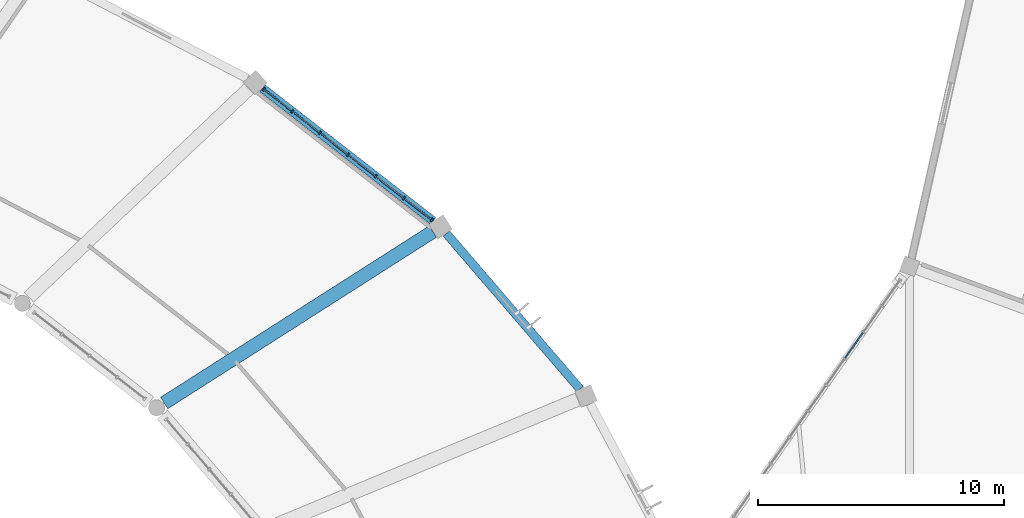
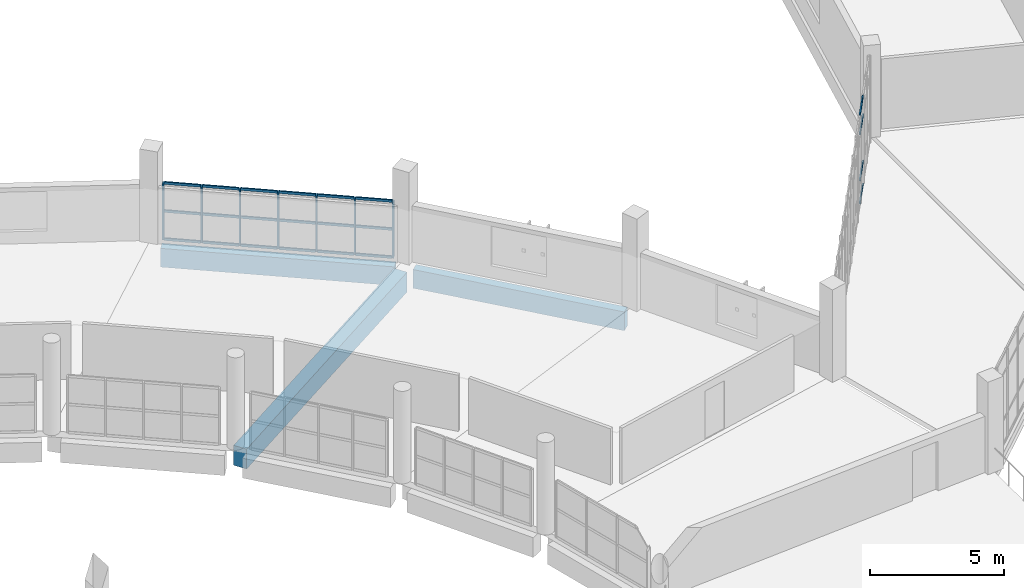
# One storey, part 60 of 142: 29 members, 3 beams, 2 elements without a shape of their own.
"""IFC4 building model written with IfcOpenShell, lengths in metres."""

from ifc_helpers import new_model, si_unit, direction, frame, origin, origin_2d, place, context, subcontext, project, spatial, rectangle, extrude, material, layer, layer_set, material_profile, profile_set, type_object, element, aggregate, save


model = new_model("IFC4")

# Units and contexts
model_context = context("Model", 3, precision=1e-05, world=origin(), true_north=direction((0.0, 1.0)))
body_context = subcontext(model_context, "Body", "Model", "MODEL_VIEW")
ifc_project = project(units=[si_unit("LENGTHUNIT", "METRE"), si_unit("AREAUNIT", "SQUARE_METRE"), si_unit("VOLUMEUNIT", "CUBIC_METRE"), si_unit("PLANEANGLEUNIT", "RADIAN"), si_unit("MASSUNIT", "GRAM", prefix="KILO")], contexts=[model_context])

# Site, building, storey
site_placement = place(None, origin())
site = spatial("IfcSite", under=ifc_project, at=site_placement, CompositionType="ELEMENT")
building_placement = place(site_placement, origin())
building = spatial("IfcBuilding", under=site, at=building_placement, Name="Corvandel Quay Wholesale Market", CompositionType="ELEMENT")
storey_placement = place(building_placement, frame((0.0, 0.0, 10.800048828125)))
storey = spatial("IfcBuildingStorey", under=building, at=storey_placement, Name="L02", CompositionType="ELEMENT", Elevation=10.800048828125)

# Curtain wall, members
ifc_material_1 = material(Name="Bronze anodised aluminium and low-E insulated glazing", Category="aluminium")
ifc_layer_1 = layer(ifc_material_1, 0.14990234375)
ifc_layer_set_1 = layer_set([ifc_layer_1], Name="Bronze anodised aluminium and low-E insulated glazing")
curtain_wall_type_1 = type_object("IfcCurtainWallType", Name="Stick Curtain Wall System CW20 H4800", PredefinedType="NOTDEFINED", material=ifc_layer_set_1)
curtain_wall_1_placement = place(storey_placement, origin())
curtain_wall_1 = element("IfcCurtainWall", 1, at=curtain_wall_1_placement, inside=storey, type_object=curtain_wall_type_1, Name="Curtain Wall CW-0179", PredefinedType="NOTDEFINED")
ifc_material_2 = material(Name="Anodised aluminium 6063-T6", Category="aluminium")
ifc_material_profile_1 = material_profile(ifc_material_2, rectangle(XDim=0.054931640625, YDim=0.094970703125, at=origin_2d()), Name="ALU-TRN-55x95")
ifc_profile_set_1 = profile_set([ifc_material_profile_1], Name="Anodised aluminium 6063-T6")
member_type_1 = type_object("IfcMemberType", Name="Clerestory Transom TR03 55x95", PredefinedType="USERDEFINED", material=ifc_profile_set_1)
member_1_placement = place(storey_placement, frame((172.384033203125, 63.439697265625, -0.030029296875), z_axis=(0.575172649736, 0.818032042769, 0.0), x_axis=(-0.818032042769, 0.575172649736, 0.0)))
member_1 = element("IfcMember", 2, at=member_1_placement, type_object=member_type_1, Name="Transom CW-0179-T08-0", ObjectType="TRANSOM", PredefinedType="USERDEFINED", context=body_context, shape_type="SweptSolid", body=[
    extrude(rectangle(XDim=0.054931640625, YDim=0.094970703125, at=origin_2d()), origin(), (0.0, 0.0, 1.0), 1.24462890625),
])
member_2_placement = place(storey_placement, frame((172.384033203125, 63.439697265625, 1.02001953125), z_axis=(0.575172649736, 0.818032042769, 0.0), x_axis=(-0.818032042769, 0.575172649736, 0.0)))
member_2 = element("IfcMember", 3, at=member_2_placement, type_object=member_type_1, Name="Transom CW-0179-T08-1", ObjectType="TRANSOM", PredefinedType="USERDEFINED", context=body_context, shape_type="SweptSolid", body=[
    extrude(rectangle(XDim=0.054931640625, YDim=0.094970703125, at=origin_2d()), origin(), (0.0, 0.0, 1.0), 1.24462890625),
])
member_3_placement = place(storey_placement, frame((172.384033203125, 63.439697265625, 3.119873046875), z_axis=(0.575172649736, 0.818032042769, 0.0), x_axis=(-0.818032042769, 0.575172649736, 0.0)))
member_3 = element("IfcMember", 4, at=member_3_placement, type_object=member_type_1, Name="Transom CW-0179-T08-2", ObjectType="TRANSOM", PredefinedType="USERDEFINED", context=body_context, shape_type="SweptSolid", body=[
    extrude(rectangle(XDim=0.054931640625, YDim=0.094970703125, at=origin_2d()), origin(), (0.0, 0.0, 1.0), 1.24462890625),
])
member_4_placement = place(storey_placement, frame((172.384033203125, 63.439697265625, 3.969970703125), z_axis=(0.575172649736, 0.818032042769, 0.0), x_axis=(-0.818032042769, 0.575172649736, 0.0)))
member_4 = element("IfcMember", 5, at=member_4_placement, type_object=member_type_1, Name="Transom CW-0179-T08-3", ObjectType="TRANSOM", PredefinedType="USERDEFINED", context=body_context, shape_type="SweptSolid", body=[
    extrude(rectangle(XDim=0.054931640625, YDim=0.094970703125, at=origin_2d()), origin(), (0.0, 0.0, 1.0), 1.24462890625),
])
aggregate(curtain_wall_1, [member_1, member_2, member_3, member_4])

ifc_layer_2 = layer(ifc_material_1, 0.174072265625)
ifc_layer_set_2 = layer_set([ifc_layer_2], Name="Bronze anodised aluminium and low-E insulated glazing")
curtain_wall_type_2 = type_object("IfcCurtainWallType", Name="Stick Curtain Wall System CW12 H4080", PredefinedType="NOTDEFINED", material=ifc_layer_set_2)
curtain_wall_2_placement = place(storey_placement, origin())
curtain_wall_2 = element("IfcCurtainWall", 6, at=curtain_wall_2_placement, inside=storey, type_object=curtain_wall_type_2, Name="Curtain Wall CW-0009", PredefinedType="NOTDEFINED")
ifc_material_profile_2 = material_profile(ifc_material_2, rectangle(XDim=0.06494140625, YDim=0.14990234375, at=origin_2d()), Name="ALU-MUL-65x150")
ifc_profile_set_2 = profile_set([ifc_material_profile_2], Name="Anodised aluminium 6063-T6")
member_type_2 = type_object("IfcMemberType", Name="Curtain Wall Mullion ML02 65x150", PredefinedType="MULLION", material=ifc_profile_set_2)
member_5_placement = place(storey_placement, frame((155.58984375, 69.04931640625, 0.0), z_axis=(0.0, 0.0, 1.0), x_axis=(-0.789298462742, 0.614009720373, 0.0)))
member_5 = element("IfcMember", 7, at=member_5_placement, type_object=member_type_2, Name="Mullion CW-0009-M00", PredefinedType="MULLION", context=body_context, shape_type="SweptSolid", body=[
    extrude(rectangle(XDim=0.06494140625, YDim=0.14990234375, at=origin_2d()), origin(), (0.0, 0.0, 1.0), 2.550048828125),
])
member_6_placement = place(storey_placement, frame((154.45458984375, 69.932373046875, 0.0), z_axis=(0.0, 0.0, 1.0), x_axis=(-0.789298462742, 0.614009720373, 0.0)))
member_6 = element("IfcMember", 8, at=member_6_placement, type_object=member_type_2, Name="Mullion CW-0009-M01", PredefinedType="MULLION", context=body_context, shape_type="SweptSolid", body=[
    extrude(rectangle(XDim=0.06494140625, YDim=0.14990234375, at=origin_2d()), origin(), (0.0, 0.0, 1.0), 2.550048828125),
])
member_7_placement = place(storey_placement, frame((153.3193359375, 70.8154296875, 0.0), z_axis=(0.0, 0.0, 1.0), x_axis=(-0.789298462742, 0.614009720373, 0.0)))
member_7 = element("IfcMember", 9, at=member_7_placement, type_object=member_type_2, Name="Mullion CW-0009-M02", PredefinedType="MULLION", context=body_context, shape_type="SweptSolid", body=[
    extrude(rectangle(XDim=0.06494140625, YDim=0.14990234375, at=origin_2d()), origin(), (0.0, 0.0, 1.0), 2.550048828125),
])
member_8_placement = place(storey_placement, frame((152.18408203125, 71.698486328125, 0.0), z_axis=(0.0, 0.0, 1.0), x_axis=(-0.789298462742, 0.614009720373, 0.0)))
member_8 = element("IfcMember", 10, at=member_8_placement, type_object=member_type_2, Name="Mullion CW-0009-M03", PredefinedType="MULLION", context=body_context, shape_type="SweptSolid", body=[
    extrude(rectangle(XDim=0.06494140625, YDim=0.14990234375, at=origin_2d()), origin(), (0.0, 0.0, 1.0), 2.550048828125),
])
member_9_placement = place(storey_placement, frame((151.048583984375, 72.58154296875, 0.0), z_axis=(0.0, 0.0, 1.0), x_axis=(-0.789298462742, 0.614009720373, 0.0)))
member_9 = element("IfcMember", 11, at=member_9_placement, type_object=member_type_2, Name="Mullion CW-0009-M04", PredefinedType="MULLION", context=body_context, shape_type="SweptSolid", body=[
    extrude(rectangle(XDim=0.06494140625, YDim=0.14990234375, at=origin_2d()), origin(), (0.0, 0.0, 1.0), 2.550048828125),
])
member_10_placement = place(storey_placement, frame((149.91357421875, 73.464599609375, 0.0), z_axis=(0.0, 0.0, 1.0), x_axis=(-0.789298462742, 0.614009720373, 0.0)))
member_10 = element("IfcMember", 12, at=member_10_placement, type_object=member_type_2, Name="Mullion CW-0009-M05", PredefinedType="MULLION", context=body_context, shape_type="SweptSolid", body=[
    extrude(rectangle(XDim=0.06494140625, YDim=0.14990234375, at=origin_2d()), origin(), (0.0, 0.0, 1.0), 2.550048828125),
])
member_11_placement = place(storey_placement, frame((148.7783203125, 74.34765625, 0.0), z_axis=(0.0, 0.0, 1.0), x_axis=(-0.789298462742, 0.614009720373, 0.0)))
member_11 = element("IfcMember", 13, at=member_11_placement, type_object=member_type_2, Name="Mullion CW-0009-M06", PredefinedType="MULLION", context=body_context, shape_type="SweptSolid", body=[
    extrude(rectangle(XDim=0.06494140625, YDim=0.14990234375, at=origin_2d()), origin(), (0.0, 0.0, 1.0), 2.550048828125),
])
ifc_material_profile_3 = material_profile(ifc_material_2, rectangle(XDim=0.06005859375, YDim=0.110107421875, at=origin_2d()), Name="ALU-TRN-60x110")
ifc_profile_set_3 = profile_set([ifc_material_profile_3], Name="Anodised aluminium 6063-T6")
member_type_3 = type_object("IfcMemberType", Name="Curtain Wall Transom TR02 60x110", PredefinedType="USERDEFINED", material=ifc_profile_set_3)
member_12_placement = place(storey_placement, frame((155.564208984375, 69.0693359375, 0.0), z_axis=(-0.789380936193, 0.61390368754, 0.0), x_axis=(-0.61390368754, -0.789380936193, 0.0)))
member_12 = element("IfcMember", 14, at=member_12_placement, type_object=member_type_3, Name="Transom CW-0009-T00-0", ObjectType="TRANSOM", PredefinedType="USERDEFINED", context=body_context, shape_type="SweptSolid", body=[
    extrude(rectangle(XDim=0.06005859375, YDim=0.110107421875, at=origin_2d()), origin(), (0.0, 0.0, 1.0), 1.373291015625),
])
member_13_placement = place(storey_placement, frame((155.564208984375, 69.0693359375, 1.27490234375), z_axis=(-0.789380936193, 0.61390368754, 0.0), x_axis=(-0.61390368754, -0.789380936193, 0.0)))
member_13 = element("IfcMember", 15, at=member_13_placement, type_object=member_type_3, Name="Transom CW-0009-T00-1", ObjectType="TRANSOM", PredefinedType="USERDEFINED", context=body_context, shape_type="SweptSolid", body=[
    extrude(rectangle(XDim=0.06005859375, YDim=0.110107421875, at=origin_2d()), origin(), (0.0, 0.0, 1.0), 1.373291015625),
])
member_14_placement = place(storey_placement, frame((155.564208984375, 69.0693359375, 2.550048828125), z_axis=(-0.789380936193, 0.61390368754, 0.0), x_axis=(-0.61390368754, -0.789380936193, 0.0)))
member_14 = element("IfcMember", 16, at=member_14_placement, type_object=member_type_3, Name="Transom CW-0009-T00-2", ObjectType="TRANSOM", PredefinedType="USERDEFINED", context=body_context, shape_type="SweptSolid", body=[
    extrude(rectangle(XDim=0.06005859375, YDim=0.110107421875, at=origin_2d()), origin(), (0.0, 0.0, 1.0), 1.373291015625),
])
member_15_placement = place(storey_placement, frame((154.428955078125, 69.952392578125, 0.0), z_axis=(-0.789380936193, 0.61390368754, 0.0), x_axis=(-0.61390368754, -0.789380936193, 0.0)))
member_15 = element("IfcMember", 17, at=member_15_placement, type_object=member_type_3, Name="Transom CW-0009-T01-0", ObjectType="TRANSOM", PredefinedType="USERDEFINED", context=body_context, shape_type="SweptSolid", body=[
    extrude(rectangle(XDim=0.06005859375, YDim=0.110107421875, at=origin_2d()), origin(), (0.0, 0.0, 1.0), 1.373291015625),
])
member_16_placement = place(storey_placement, frame((154.428955078125, 69.952392578125, 1.27490234375), z_axis=(-0.789380936193, 0.61390368754, 0.0), x_axis=(-0.61390368754, -0.789380936193, 0.0)))
member_16 = element("IfcMember", 18, at=member_16_placement, type_object=member_type_3, Name="Transom CW-0009-T01-1", ObjectType="TRANSOM", PredefinedType="USERDEFINED", context=body_context, shape_type="SweptSolid", body=[
    extrude(rectangle(XDim=0.06005859375, YDim=0.110107421875, at=origin_2d()), origin(), (0.0, 0.0, 1.0), 1.373291015625),
])
member_17_placement = place(storey_placement, frame((154.428955078125, 69.952392578125, 2.550048828125), z_axis=(-0.789380936193, 0.61390368754, 0.0), x_axis=(-0.61390368754, -0.789380936193, 0.0)))
member_17 = element("IfcMember", 19, at=member_17_placement, type_object=member_type_3, Name="Transom CW-0009-T01-2", ObjectType="TRANSOM", PredefinedType="USERDEFINED", context=body_context, shape_type="SweptSolid", body=[
    extrude(rectangle(XDim=0.06005859375, YDim=0.110107421875, at=origin_2d()), origin(), (0.0, 0.0, 1.0), 1.373291015625),
])
member_18_placement = place(storey_placement, frame((153.293701171875, 70.83544921875, 0.0), z_axis=(-0.789380936193, 0.61390368754, 0.0), x_axis=(-0.61390368754, -0.789380936193, 0.0)))
member_18 = element("IfcMember", 20, at=member_18_placement, type_object=member_type_3, Name="Transom CW-0009-T02-0", ObjectType="TRANSOM", PredefinedType="USERDEFINED", context=body_context, shape_type="SweptSolid", body=[
    extrude(rectangle(XDim=0.06005859375, YDim=0.110107421875, at=origin_2d()), origin(), (0.0, 0.0, 1.0), 1.373291015625),
])
member_19_placement = place(storey_placement, frame((153.293701171875, 70.83544921875, 1.27490234375), z_axis=(-0.789380936193, 0.61390368754, 0.0), x_axis=(-0.61390368754, -0.789380936193, 0.0)))
member_19 = element("IfcMember", 21, at=member_19_placement, type_object=member_type_3, Name="Transom CW-0009-T02-1", ObjectType="TRANSOM", PredefinedType="USERDEFINED", context=body_context, shape_type="SweptSolid", body=[
    extrude(rectangle(XDim=0.06005859375, YDim=0.110107421875, at=origin_2d()), origin(), (0.0, 0.0, 1.0), 1.373291015625),
])
member_20_placement = place(storey_placement, frame((153.293701171875, 70.83544921875, 2.550048828125), z_axis=(-0.789380936193, 0.61390368754, 0.0), x_axis=(-0.61390368754, -0.789380936193, 0.0)))
member_20 = element("IfcMember", 22, at=member_20_placement, type_object=member_type_3, Name="Transom CW-0009-T02-2", ObjectType="TRANSOM", PredefinedType="USERDEFINED", context=body_context, shape_type="SweptSolid", body=[
    extrude(rectangle(XDim=0.06005859375, YDim=0.110107421875, at=origin_2d()), origin(), (0.0, 0.0, 1.0), 1.373291015625),
])
member_21_placement = place(storey_placement, frame((152.158203125, 71.718505859375, 0.0), z_axis=(-0.789313917558, 0.613989852969, 0.0), x_axis=(-0.613989852969, -0.789313917558, 0.0)))
member_21 = element("IfcMember", 23, at=member_21_placement, type_object=member_type_3, Name="Transom CW-0009-T03-0", ObjectType="TRANSOM", PredefinedType="USERDEFINED", context=body_context, shape_type="SweptSolid", body=[
    extrude(rectangle(XDim=0.06005859375, YDim=0.110107421875, at=origin_2d()), origin(), (0.0, 0.0, 1.0), 1.373046875),
])
member_22_placement = place(storey_placement, frame((152.158203125, 71.718505859375, 1.27490234375), z_axis=(-0.789313917558, 0.613989852969, 0.0), x_axis=(-0.613989852969, -0.789313917558, 0.0)))
member_22 = element("IfcMember", 24, at=member_22_placement, type_object=member_type_3, Name="Transom CW-0009-T03-1", ObjectType="TRANSOM", PredefinedType="USERDEFINED", context=body_context, shape_type="SweptSolid", body=[
    extrude(rectangle(XDim=0.06005859375, YDim=0.110107421875, at=origin_2d()), origin(), (0.0, 0.0, 1.0), 1.373046875),
])
member_23_placement = place(storey_placement, frame((152.158203125, 71.718505859375, 2.550048828125), z_axis=(-0.789313917558, 0.613989852969, 0.0), x_axis=(-0.613989852969, -0.789313917558, 0.0)))
member_23 = element("IfcMember", 25, at=member_23_placement, type_object=member_type_3, Name="Transom CW-0009-T03-2", ObjectType="TRANSOM", PredefinedType="USERDEFINED", context=body_context, shape_type="SweptSolid", body=[
    extrude(rectangle(XDim=0.06005859375, YDim=0.110107421875, at=origin_2d()), origin(), (0.0, 0.0, 1.0), 1.373046875),
])
member_24_placement = place(storey_placement, frame((151.023193359375, 72.6015625, 0.0), z_axis=(-0.789380936193, 0.61390368754, 0.0), x_axis=(-0.61390368754, -0.789380936193, 0.0)))
member_24 = element("IfcMember", 26, at=member_24_placement, type_object=member_type_3, Name="Transom CW-0009-T04-0", ObjectType="TRANSOM", PredefinedType="USERDEFINED", context=body_context, shape_type="SweptSolid", body=[
    extrude(rectangle(XDim=0.06005859375, YDim=0.110107421875, at=origin_2d()), origin(), (0.0, 0.0, 1.0), 1.373291015625),
])
member_25_placement = place(storey_placement, frame((151.023193359375, 72.6015625, 1.27490234375), z_axis=(-0.789380936193, 0.61390368754, 0.0), x_axis=(-0.61390368754, -0.789380936193, 0.0)))
member_25 = element("IfcMember", 27, at=member_25_placement, type_object=member_type_3, Name="Transom CW-0009-T04-1", ObjectType="TRANSOM", PredefinedType="USERDEFINED", context=body_context, shape_type="SweptSolid", body=[
    extrude(rectangle(XDim=0.06005859375, YDim=0.110107421875, at=origin_2d()), origin(), (0.0, 0.0, 1.0), 1.373291015625),
])
member_26_placement = place(storey_placement, frame((151.023193359375, 72.6015625, 2.550048828125), z_axis=(-0.789380936193, 0.61390368754, 0.0), x_axis=(-0.61390368754, -0.789380936193, 0.0)))
member_26 = element("IfcMember", 28, at=member_26_placement, type_object=member_type_3, Name="Transom CW-0009-T04-2", ObjectType="TRANSOM", PredefinedType="USERDEFINED", context=body_context, shape_type="SweptSolid", body=[
    extrude(rectangle(XDim=0.06005859375, YDim=0.110107421875, at=origin_2d()), origin(), (0.0, 0.0, 1.0), 1.373291015625),
])
member_27_placement = place(storey_placement, frame((149.8876953125, 73.484619140625, 0.0), z_axis=(-0.789313917558, 0.613989852969, 0.0), x_axis=(-0.613989852969, -0.789313917558, 0.0)))
member_27 = element("IfcMember", 29, at=member_27_placement, type_object=member_type_3, Name="Transom CW-0009-T05-0", ObjectType="TRANSOM", PredefinedType="USERDEFINED", context=body_context, shape_type="SweptSolid", body=[
    extrude(rectangle(XDim=0.06005859375, YDim=0.110107421875, at=origin_2d()), origin(), (0.0, 0.0, 1.0), 1.373046875),
])
member_28_placement = place(storey_placement, frame((149.8876953125, 73.484619140625, 1.27490234375), z_axis=(-0.789313917558, 0.613989852969, 0.0), x_axis=(-0.613989852969, -0.789313917558, 0.0)))
member_28 = element("IfcMember", 30, at=member_28_placement, type_object=member_type_3, Name="Transom CW-0009-T05-1", ObjectType="TRANSOM", PredefinedType="USERDEFINED", context=body_context, shape_type="SweptSolid", body=[
    extrude(rectangle(XDim=0.06005859375, YDim=0.110107421875, at=origin_2d()), origin(), (0.0, 0.0, 1.0), 1.373046875),
])
member_29_placement = place(storey_placement, frame((149.8876953125, 73.484619140625, 2.550048828125), z_axis=(-0.789313917558, 0.613989852969, 0.0), x_axis=(-0.613989852969, -0.789313917558, 0.0)))
member_29 = element("IfcMember", 31, at=member_29_placement, type_object=member_type_3, Name="Transom CW-0009-T05-2", ObjectType="TRANSOM", PredefinedType="USERDEFINED", context=body_context, shape_type="SweptSolid", body=[
    extrude(rectangle(XDim=0.06005859375, YDim=0.110107421875, at=origin_2d()), origin(), (0.0, 0.0, 1.0), 1.373046875),
])
aggregate(curtain_wall_2, [member_5, member_6, member_7, member_8, member_9, member_10, member_11, member_12, member_13, member_14, member_15, member_16, member_17, member_18, member_19, member_20, member_21, member_22, member_23, member_24, member_25, member_26, member_27, member_28, member_29])

# Beams
ifc_material_3 = material(Name="Precast concrete C45/55", Category="concrete")
ifc_material_profile_4 = material_profile(ifc_material_3, rectangle(XDim=0.35009765625, YDim=0.85009765625, at=origin_2d()), Name="PC-SPN-350x850")
ifc_profile_set_4 = profile_set([ifc_material_profile_4], Name="Precast concrete C45/55")
beam_type_1 = type_object("IfcBeamType", Name="Perimeter Precast Spandrel SP01 350x850", PredefinedType="SPANDREL", material=ifc_profile_set_4)
beam_1_placement = place(storey_placement, frame((161.61279296875, 62.1748046875, -0.7451171875), z_axis=(-0.651611810623, 0.75855260085, 0.0), x_axis=(-0.75855260085, -0.651611810623, 0.0)))
element("IfcBeam", 32, at=beam_1_placement, inside=storey, type_object=beam_type_1, Name="Beam BM-0033", PredefinedType="SPANDREL", context=body_context, shape_type="SweptSolid", body=[
    extrude(rectangle(XDim=0.35009765625, YDim=0.85009765625, at=origin_2d()), origin(), (0.0, 0.0, 1.0), 8.328125),
])
beam_2_placement = place(storey_placement, frame((155.653076171875, 69.000244140625, -0.7451171875), z_axis=(-0.789337260855, 0.613959842844, 0.0), x_axis=(-0.613959842844, -0.789337260855, 0.0)))
element("IfcBeam", 33, at=beam_2_placement, inside=storey, type_object=beam_type_1, Name="Beam BM-0046", PredefinedType="SPANDREL", context=body_context, shape_type="SweptSolid", body=[
    extrude(rectangle(XDim=0.35009765625, YDim=0.85009765625, at=origin_2d()), origin(), (0.0, 0.0, 1.0), 8.78955078125),
])
ifc_material_profile_5 = material_profile(ifc_material_3, rectangle(XDim=0.550048828125, YDim=0.89990234375, at=origin_2d()), Name="PC-GIR-550x900")
ifc_profile_set_5 = profile_set([ifc_material_profile_5], Name="Precast concrete C45/55")
beam_type_2 = type_object("IfcBeamType", Name="Produce Hall Radial Girder G03 550x900", PredefinedType="USERDEFINED", material=ifc_profile_set_5)
beam_3_placement = place(storey_placement, frame((155.633056640625, 68.573974609375, -0.77001953125), z_axis=(-0.842946232695, -0.537997814852, 0.0), x_axis=(0.537997814852, -0.842946232695, 0.0)))
element("IfcBeam", 34, at=beam_3_placement, inside=storey, type_object=beam_type_2, Name="Beam BM-0049", ObjectType="GIRDER", PredefinedType="USERDEFINED", context=body_context, shape_type="SweptSolid", body=[
    extrude(rectangle(XDim=0.550048828125, YDim=0.89990234375, at=origin_2d()), origin(), (0.0, 0.0, 1.0), 12.944091796875),
])

save(model, "model.ifc")
